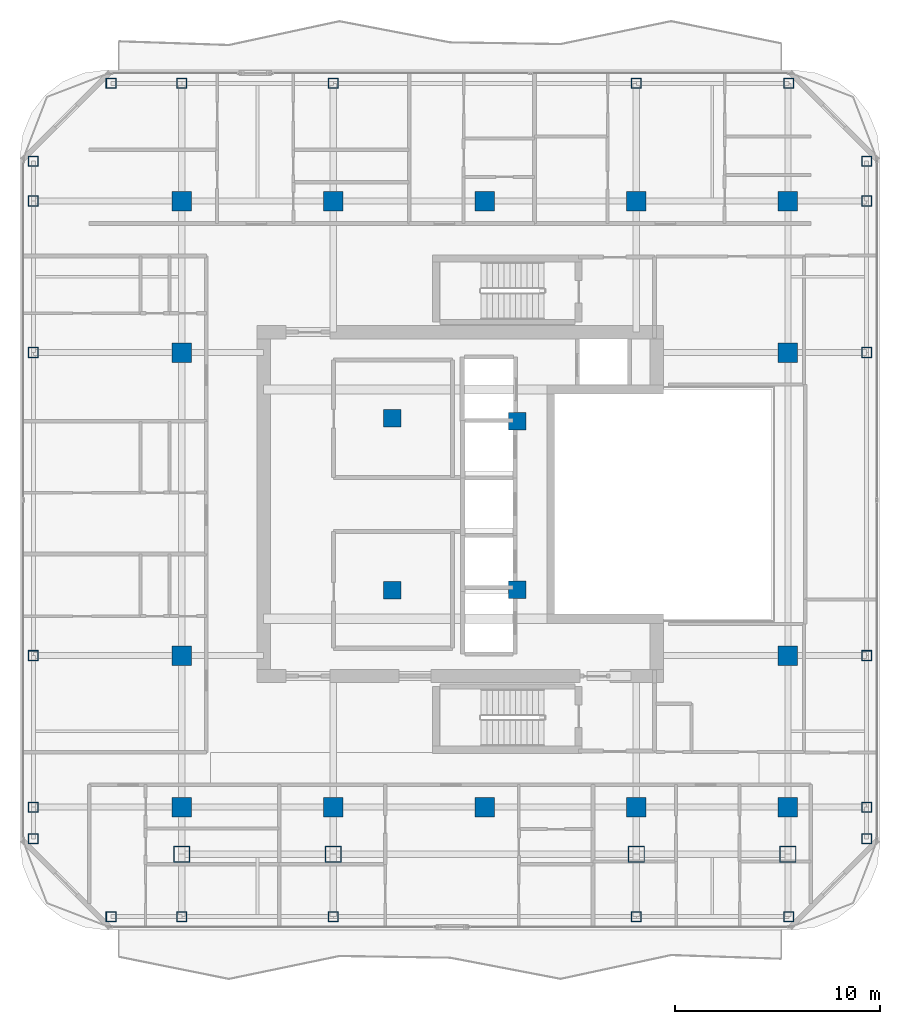
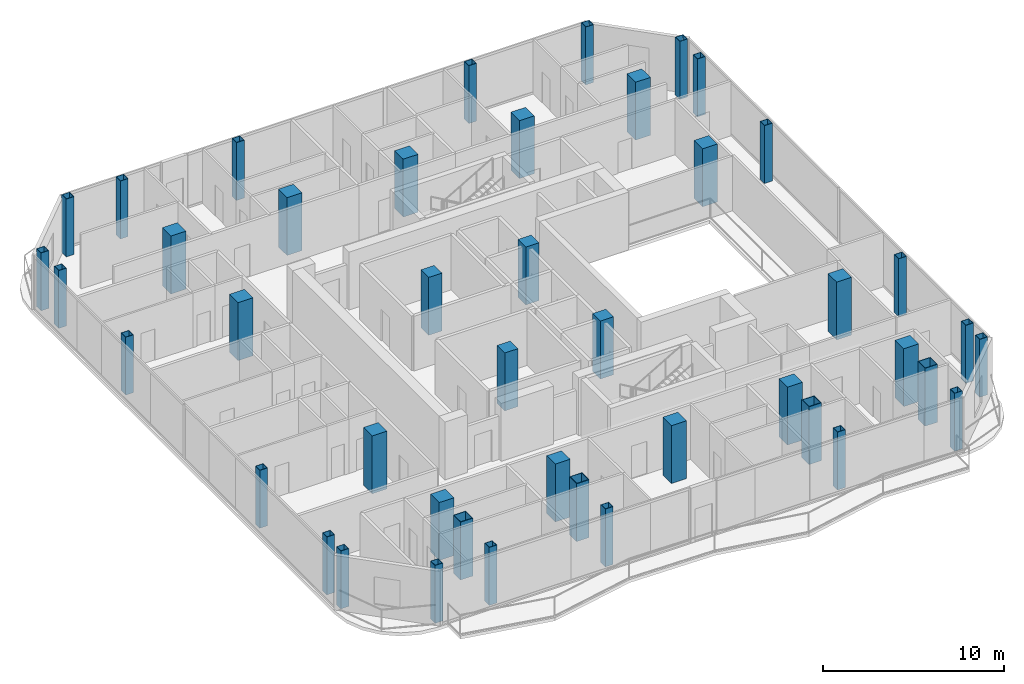
# One storey, part 1 of 23: 44 columns.
"""IFC4 building model written with IfcOpenShell, lengths in metres."""

from ifc_helpers import new_model, si_unit, direction, frame, origin, origin_2d, place, context, subcontext, project, spatial, rectangle, hollow_rectangle, extrude, material, material_profile, profile_set, type_object, element, save


model = new_model("IFC4")

# Units and contexts
model_context = context("Model", 3, precision=1e-05, world=origin(), true_north=direction((0.0, 1.0)))
body_context = subcontext(model_context, "Body", "Model", "MODEL_VIEW")
ifc_project = project(units=[si_unit("LENGTHUNIT", "METRE"), si_unit("AREAUNIT", "SQUARE_METRE"), si_unit("VOLUMEUNIT", "CUBIC_METRE"), si_unit("PLANEANGLEUNIT", "RADIAN"), si_unit("MASSUNIT", "GRAM", prefix="KILO")], contexts=[model_context])

# Site, building, storey
site_placement = place(None, origin())
site = spatial("IfcSite", under=ifc_project, at=site_placement, CompositionType="ELEMENT")
building_placement = place(site_placement, origin())
building = spatial("IfcBuilding", under=site, at=building_placement, Name="Khorvyn Point Tower", CompositionType="ELEMENT")
storey_placement = place(building_placement, frame((0.0, 0.0, 297.60009765625)))
storey = spatial("IfcBuildingStorey", under=building, at=storey_placement, Name="L73", CompositionType="ELEMENT", Elevation=297.60009765625)

# Columns
ifc_material_1 = material(Name="Concrete C40/50", Category="concrete")
ifc_material_profile_1 = material_profile(ifc_material_1, rectangle(XDim=0.85009765625, YDim=0.85009765625, at=origin_2d()))
ifc_profile_set_1 = profile_set([ifc_material_profile_1], Name="Concrete C40/50 RC850x850")
column_type_1 = type_object("IfcColumnType", Name="Concrete C40/50 Column RC850x850", PredefinedType="COLUMN", material=ifc_profile_set_1)
for number, where, z_axis, x_axis, name in (
    (1, (-4.52001953125, -4.199951171875, 0.0), (0.0, 0.0, 1.0), (1.0, 0.0, 0.0), "L73 Crown Core Spine Column 1"),
    (2, (1.580078125, -4.179931640625, 0.0), (0.0, 0.0, 1.0), (1.0, 0.0, 0.0), "L73 Crown Core Spine Column 2"),
    (3, (1.580078125, 4.050048828125, 0.0), (0.0, 0.0, 1.0), (1.0, 0.0, 0.0), "L73 Crown Core Spine Column 3"),
    (4, (-4.52001953125, 4.199951171875, 0.0), (0.0, 0.0, 1.0), (1.0, 0.0, 0.0), "L73 Crown Core Spine Column 4"),
):
    element("IfcColumn", number, at=place(storey_placement, frame(where, z_axis=z_axis, x_axis=x_axis)), inside=storey, type_object=column_type_1, Name=name, PredefinedType="COLUMN", context=body_context, shape_type="SweptSolid", body=[
        extrude(rectangle(XDim=0.85009765625, YDim=0.85009765625, at=origin_2d()), origin(), (0.0, 0.0, 1.0), 3.89990234375),
    ])
ifc_material_profile_2 = material_profile(ifc_material_1, rectangle(XDim=0.949951171875, YDim=0.949951171875, at=origin_2d()))
ifc_profile_set_2 = profile_set([ifc_material_profile_2], Name="Concrete C40/50 RC950x950")
column_type_2 = type_object("IfcColumnType", Name="Concrete C40/50 Column RC950x950", PredefinedType="COLUMN", material=ifc_profile_set_2)
for number, where, z_axis, x_axis, name in (
    (5, (-14.800048828125, -14.800048828125, 0.0), (0.0, 0.0, 1.0), (1.0, 0.0, 0.0), "L73 Mega-Column MC-01"),
    (6, (-7.39990234375, -14.800048828125, 0.0), (0.0, 0.0, 1.0), (1.0, 0.0, 0.0), "L73 Mega-Column MC-02"),
    (7, (0.0, -14.800048828125, 0.0), (0.0, 0.0, 1.0), (1.0, 0.0, 0.0), "L73 Mega-Column MC-03"),
    (8, (7.39990234375, -14.800048828125, 0.0), (0.0, 0.0, 1.0), (1.0, 0.0, 0.0), "L73 Mega-Column MC-04"),
    (9, (14.800048828125, -14.800048828125, 0.0), (0.0, 0.0, 1.0), (1.0, 0.0, 0.0), "L73 Mega-Column MC-05"),
    (10, (-14.800048828125, 14.800048828125, 0.0), (0.0, 0.0, 1.0), (1.0, 0.0, 0.0), "L73 Mega-Column MC-06"),
    (11, (-7.39990234375, 14.800048828125, 0.0), (0.0, 0.0, 1.0), (1.0, 0.0, 0.0), "L73 Mega-Column MC-07"),
    (12, (0.0, 14.800048828125, 0.0), (0.0, 0.0, 1.0), (1.0, 0.0, 0.0), "L73 Mega-Column MC-08"),
    (13, (7.39990234375, 14.800048828125, 0.0), (0.0, 0.0, 1.0), (1.0, 0.0, 0.0), "L73 Mega-Column MC-09"),
    (14, (14.800048828125, 14.800048828125, 0.0), (0.0, 0.0, 1.0), (1.0, 0.0, 0.0), "L73 Mega-Column MC-10"),
    (15, (-14.800048828125, -7.39990234375, 0.0), (0.0, 0.0, 1.0), (1.0, 0.0, 0.0), "L73 Mega-Column MC-11"),
    (16, (-14.800048828125, 7.39990234375, 0.0), (0.0, 0.0, 1.0), (1.0, 0.0, 0.0), "L73 Mega-Column MC-12"),
    (17, (14.800048828125, -7.39990234375, 0.0), (0.0, 0.0, 1.0), (1.0, 0.0, 0.0), "L73 Mega-Column MC-13"),
    (18, (14.800048828125, 7.39990234375, 0.0), (0.0, 0.0, 1.0), (1.0, 0.0, 0.0), "L73 Mega-Column MC-14"),
):
    element("IfcColumn", number, at=place(storey_placement, frame(where, z_axis=z_axis, x_axis=x_axis)), inside=storey, type_object=column_type_2, Name=name, PredefinedType="COLUMN", context=body_context, shape_type="SweptSolid", body=[
        extrude(rectangle(XDim=0.949951171875, YDim=0.949951171875, at=origin_2d()), origin(), (0.0, 0.0, 1.0), 3.89990234375),
    ])
ifc_material_2 = material(Name="Steel S355", Category="steel")
ifc_material_profile_3 = material_profile(ifc_material_2, hollow_rectangle(XDim=0.5, YDim=0.5, WallThickness=0.02490234375, at=origin_2d()))
ifc_profile_set_3 = profile_set([ifc_material_profile_3], Name="Steel S355 BOX500x500x25")
column_type_3 = type_object("IfcColumnType", Name="Steel S355 Structural Column BOX500x500x25", PredefinedType="COLUMN", material=ifc_profile_set_3)
for number, where, z_axis, x_axis, name in (
    (19, (-18.25, -20.14990234375, 0.0), (0.0, 0.0, 1.0), (1.0, 0.0, 0.0), "L73 Perimeter Tube Column TC-01"),
    (20, (14.85009765625, -20.14990234375, 0.0), (0.0, 0.0, 1.0), (1.0, 0.0, 0.0), "L73 Perimeter Tube Column TC-02"),
    (21, (-18.25, 20.550048828125, 0.0), (0.0, 0.0, 1.0), (1.0, 0.0, 0.0), "L73 Perimeter Tube Column TC-03"),
    (22, (14.85009765625, 20.550048828125, 0.0), (0.0, 0.0, 1.0), (1.0, 0.0, 0.0), "L73 Perimeter Tube Column TC-04"),
    (23, (-22.050048828125, -16.35009765625, 0.0), (0.0, 0.0, 1.0), (1.0, 0.0, 0.0), "L73 Perimeter Tube Column TC-05"),
    (24, (-22.050048828125, 16.75, 0.0), (0.0, 0.0, 1.0), (1.0, 0.0, 0.0), "L73 Perimeter Tube Column TC-06"),
    (25, (18.64990234375, -16.35009765625, 0.0), (0.0, 0.0, 1.0), (1.0, 0.0, 0.0), "L73 Perimeter Tube Column TC-07"),
    (26, (18.64990234375, 16.75, 0.0), (0.0, 0.0, 1.0), (1.0, 0.0, 0.0), "L73 Perimeter Tube Column TC-08"),
    (27, (-14.800048828125, -20.14990234375, 0.0), (0.0, 0.0, 1.0), (1.0, 0.0, 0.0), "L73 Perimeter Tube Column TC-09"),
    (28, (-14.800048828125, 20.550048828125, 0.0), (0.0, 0.0, 1.0), (1.0, 0.0, 0.0), "L73 Perimeter Tube Column TC-10"),
    (29, (-7.39990234375, -20.14990234375, 0.0), (0.0, 0.0, 1.0), (1.0, 0.0, 0.0), "L73 Perimeter Tube Column TC-11"),
    (30, (-7.39990234375, 20.550048828125, 0.0), (0.0, 0.0, 1.0), (1.0, 0.0, 0.0), "L73 Perimeter Tube Column TC-12"),
    (31, (7.39990234375, -20.14990234375, 0.0), (0.0, 0.0, 1.0), (1.0, 0.0, 0.0), "L73 Perimeter Tube Column TC-13"),
    (32, (7.39990234375, 20.550048828125, 0.0), (0.0, 0.0, 1.0), (1.0, 0.0, 0.0), "L73 Perimeter Tube Column TC-14"),
    (33, (-22.050048828125, -14.800048828125, 0.0), (0.0, 0.0, 1.0), (1.0, 0.0, 0.0), "L73 Perimeter Tube Column TC-15"),
    (34, (18.64990234375, -14.800048828125, 0.0), (0.0, 0.0, 1.0), (1.0, 0.0, 0.0), "L73 Perimeter Tube Column TC-16"),
    (35, (-22.050048828125, -7.39990234375, 0.0), (0.0, 0.0, 1.0), (1.0, 0.0, 0.0), "L73 Perimeter Tube Column TC-17"),
    (36, (18.64990234375, -7.39990234375, 0.0), (0.0, 0.0, 1.0), (1.0, 0.0, 0.0), "L73 Perimeter Tube Column TC-18"),
    (37, (-22.050048828125, 7.39990234375, 0.0), (0.0, 0.0, 1.0), (1.0, 0.0, 0.0), "L73 Perimeter Tube Column TC-19"),
    (38, (18.64990234375, 7.39990234375, 0.0), (0.0, 0.0, 1.0), (1.0, 0.0, 0.0), "L73 Perimeter Tube Column TC-20"),
    (39, (-22.050048828125, 14.800048828125, 0.0), (0.0, 0.0, 1.0), (1.0, 0.0, 0.0), "L73 Perimeter Tube Column TC-21"),
    (40, (18.64990234375, 14.800048828125, 0.0), (0.0, 0.0, 1.0), (1.0, 0.0, 0.0), "L73 Perimeter Tube Column TC-22"),
):
    element("IfcColumn", number, at=place(storey_placement, frame(where, z_axis=z_axis, x_axis=x_axis)), inside=storey, type_object=column_type_3, Name=name, PredefinedType="COLUMN", context=body_context, shape_type="SweptSolid", body=[
        extrude(hollow_rectangle(XDim=0.5, YDim=0.5, WallThickness=0.02490234375, at=origin_2d()), origin(), (0.0, 0.0, 1.0), 3.89990234375),
    ])
ifc_material_3 = material(Name="Steel S450", Category="steel")
ifc_material_profile_4 = material_profile(ifc_material_3, hollow_rectangle(XDim=0.800048828125, YDim=0.800048828125, WallThickness=0.035888671875, at=origin_2d()))
ifc_profile_set_4 = profile_set([ifc_material_profile_4], Name="Steel S450 BOX800x800x36")
column_type_4 = type_object("IfcColumnType", Name="Steel S450 Structural Column BOX800x800x36", PredefinedType="COLUMN", material=ifc_profile_set_4)
for number, where, z_axis, x_axis, name in (
    (41, (-14.800048828125, -17.10009765625, 0.0), (0.0, 0.0, 1.0), (1.0, 0.0, 0.0), "L73 Intermediate Column ICS--14"),
    (42, (-7.39990234375, -17.10009765625, 0.0), (0.0, 0.0, 1.0), (1.0, 0.0, 0.0), "L73 Intermediate Column ICS--7"),
    (43, (7.39990234375, -17.10009765625, 0.0), (0.0, 0.0, 1.0), (1.0, 0.0, 0.0), "L73 Intermediate Column ICS-7"),
    (44, (14.800048828125, -17.10009765625, 0.0), (0.0, 0.0, 1.0), (1.0, 0.0, 0.0), "L73 Intermediate Column ICS-14"),
):
    element("IfcColumn", number, at=place(storey_placement, frame(where, z_axis=z_axis, x_axis=x_axis)), inside=storey, type_object=column_type_4, Name=name, PredefinedType="COLUMN", context=body_context, shape_type="SweptSolid", body=[
        extrude(hollow_rectangle(XDim=0.800048828125, YDim=0.800048828125, WallThickness=0.035888671875, at=origin_2d()), origin(), (0.0, 0.0, 1.0), 3.89990234375),
    ])

save(model, "model.ifc")
